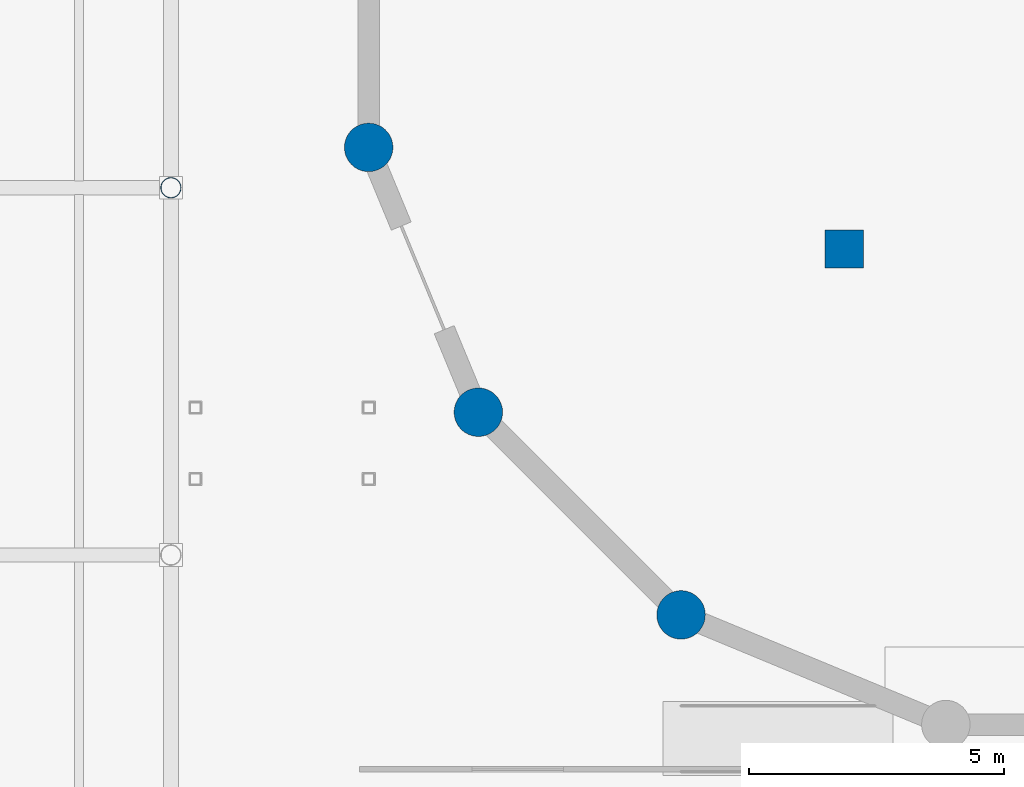
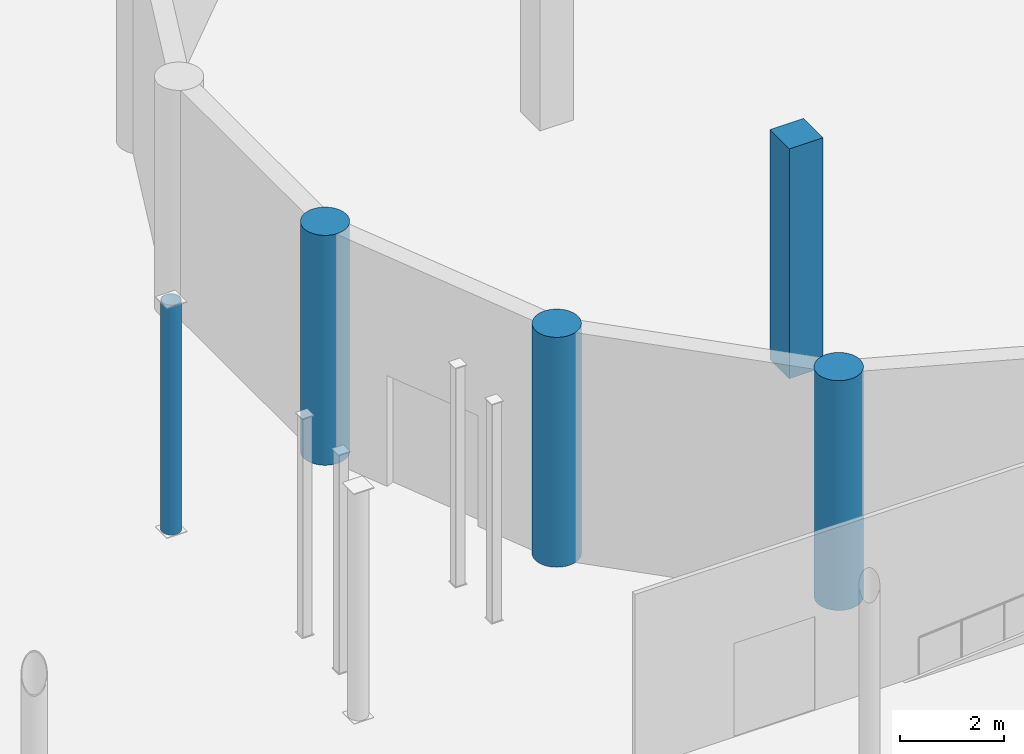
# One storey, part 5 of 79: 5 columns.
"""IFC4 building model written with IfcOpenShell, lengths in metres."""

from ifc_helpers import new_model, si_unit, direction, frame, origin, origin_2d, place, context, subcontext, project, spatial, rectangle, circle, hollow_circle, extrude, material, material_profile, profile_set, type_object, element, save


model = new_model("IFC4")

# Units and contexts
model_context = context("Model", 3, precision=1e-05, world=origin(), true_north=direction((0.0, 1.0)))
body_context = subcontext(model_context, "Body", "Model", "MODEL_VIEW")
ifc_project = project(units=[si_unit("LENGTHUNIT", "METRE"), si_unit("AREAUNIT", "SQUARE_METRE"), si_unit("VOLUMEUNIT", "CUBIC_METRE"), si_unit("PLANEANGLEUNIT", "RADIAN"), si_unit("MASSUNIT", "GRAM", prefix="KILO")], contexts=[model_context])

# Site, building, storey
site_placement = place(None, origin())
site = spatial("IfcSite", under=ifc_project, at=site_placement, CompositionType="ELEMENT")
building_placement = place(site_placement, origin())
building = spatial("IfcBuilding", under=site, at=building_placement, Name="Qiaolan Assembly House", CompositionType="ELEMENT")
storey_placement = place(building_placement, origin())
storey = spatial("IfcBuildingStorey", under=building, at=storey_placement, Name="L00", CompositionType="ELEMENT", Elevation=0.0)

# Columns
ifc_material_1 = material(Name="Concrete C50/60", Category="concrete")
ifc_material_profile_1 = material_profile(ifc_material_1, circle(Radius=0.47509765625, at=origin_2d()), Name="CIRC D950")
ifc_profile_set_1 = profile_set([ifc_material_profile_1], Name="Concrete C50/60")
column_type_1 = type_object("IfcColumnType", Name="COL-DRUM-D950", PredefinedType="COLUMN", material=ifc_profile_set_1)
for number, where, z_axis, x_axis, name in (
    (1, (54.276611328125, 58.390625, 0.0), (0.0, 0.0, 1.0), (1.0, 0.0, 0.0), "DC-01 chamber drum pier 9 L00"),
    (2, (56.4267578125, 53.19970703125, 0.0), (0.0, 0.0, 1.0), (1.0, 0.0, 0.0), "DC-01 chamber drum pier 10 L00"),
    (3, (60.39990234375, 49.226806640625, 0.0), (0.0, 0.0, 1.0), (1.0, 0.0, 0.0), "DC-01 chamber drum pier 11 L00"),
):
    element("IfcColumn", number, at=place(storey_placement, frame(where, z_axis=z_axis, x_axis=x_axis)), inside=storey, type_object=column_type_1, Name=name, PredefinedType="COLUMN", context=body_context, shape_type="SweptSolid", body=[
        extrude(circle(Radius=0.47509765625, at=origin_2d()), origin(), (0.0, 0.0, 1.0), 5.39990234375),
    ])
ifc_material_2 = material(Name="Concrete C45/55", Category="concrete")
ifc_material_profile_2 = material_profile(ifc_material_2, rectangle(XDim=0.75, YDim=0.75, at=origin_2d()), Name="RC 750x750")
ifc_profile_set_2 = profile_set([ifc_material_profile_2], Name="Concrete C45/55")
column_type_2 = type_object("IfcColumnType", Name="COL-RC-750", PredefinedType="COLUMN", material=ifc_profile_set_2)
column_1_placement = place(storey_placement, frame((63.60009765625, 56.39990234375, 0.0), z_axis=(0.0, 0.0, 1.0), x_axis=(1.0, 0.0, 0.0)))
element("IfcColumn", 4, at=column_1_placement, inside=storey, type_object=column_type_2, Name="RC-06 chamber undercroft column 1 L00", PredefinedType="COLUMN", context=body_context, shape_type="SweptSolid", body=[
    extrude(rectangle(XDim=0.75, YDim=0.75, at=origin_2d()), origin(), (0.0, 0.0, 1.0), 5.39990234375),
])
ifc_material_3 = material(Name="Steel Q355B", Category="steel")
ifc_material_profile_3 = material_profile(ifc_material_3, hollow_circle(Radius=0.203125, WallThickness=0.013916015625, at=origin_2d()), Name="CHS 406.4x14")
ifc_profile_set_3 = profile_set([ifc_material_profile_3], Name="Steel Q355B")
column_type_3 = type_object("IfcColumnType", Name="COL-STL-CHS406", PredefinedType="COLUMN", material=ifc_profile_set_3)
column_2_placement = place(storey_placement, frame((50.39990234375, 57.60009765625, 0.0), z_axis=(0.0, 0.0, 1.0), x_axis=(1.0, 0.0, 0.0)))
element("IfcColumn", 5, at=column_2_placement, inside=storey, type_object=column_type_3, Name="SC-06 hall column L00", PredefinedType="COLUMN", context=body_context, shape_type="SweptSolid", body=[
    extrude(hollow_circle(Radius=0.203125, WallThickness=0.013916015625, at=origin_2d()), origin(), (0.0, 0.0, 1.0), 5.39990234375),
])

save(model, "model.ifc")
